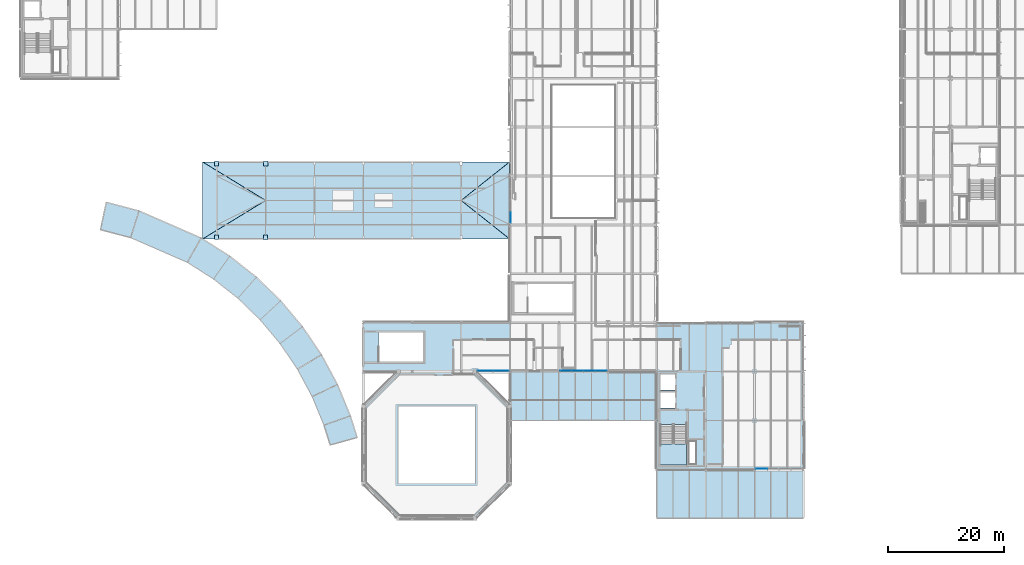
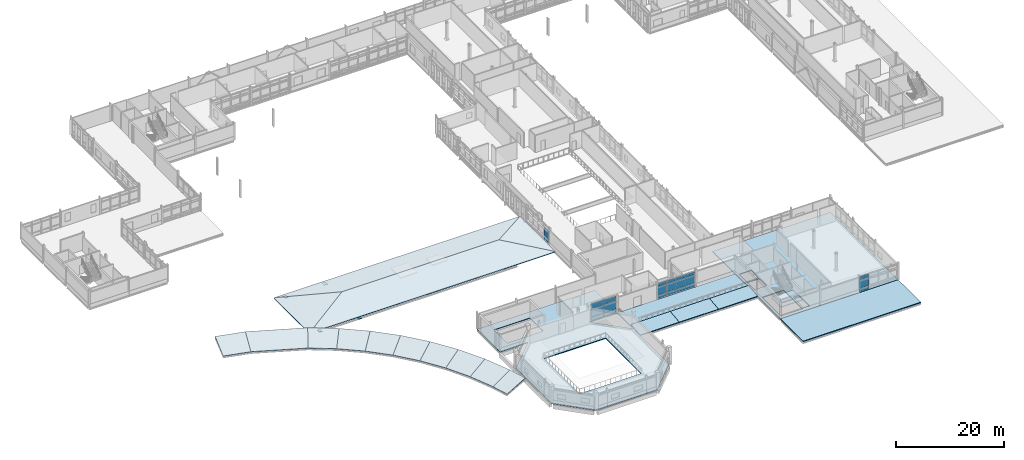
# One storey, part 108 of 151: 27 plates, 22 slabs, 7 elements without a shape of their own.
"""IFC4 building model written with IfcOpenShell, lengths in metres."""

from ifc_helpers import new_model, si_unit, direction, frame, origin, origin_2d, place, context, subcontext, project, spatial, polyline, rectangle, outline, extrude, material, layer, layer_set, type_object, element, aggregate, save


model = new_model("IFC4")

# Units and contexts
model_context = context("Model", 3, precision=1e-05, world=origin(), true_north=direction((0.0, 1.0)))
body_context = subcontext(model_context, "Body", "Model", "MODEL_VIEW")
ifc_project = project(units=[si_unit("LENGTHUNIT", "METRE"), si_unit("AREAUNIT", "SQUARE_METRE"), si_unit("VOLUMEUNIT", "CUBIC_METRE"), si_unit("PLANEANGLEUNIT", "RADIAN"), si_unit("MASSUNIT", "GRAM", prefix="KILO")], contexts=[model_context])

# Site, building, storey
site_placement = place(None, origin())
site = spatial("IfcSite", under=ifc_project, at=site_placement, CompositionType="ELEMENT")
building_placement = place(site_placement, origin())
building = spatial("IfcBuilding", under=site, at=building_placement, Name="Mersafa Astral City Hall", CompositionType="ELEMENT")
storey_placement = place(building_placement, frame((0.0, 0.0, 9.89990234375)))
storey = spatial("IfcBuildingStorey", under=building, at=storey_placement, Name="L02", CompositionType="ELEMENT", Elevation=9.89990234375)

# Curtain wall, plates
ifc_material_1 = material(Name="Anodised bronze aluminium framing", Category="aluminium")
curtain_wall_type_1 = type_object("IfcCurtainWallType", Name="ENV-CW-3", PredefinedType="USERDEFINED", material=ifc_material_1)
curtain_wall_1_placement = place(storey_placement, origin())
curtain_wall_1 = element("IfcCurtainWall", 1, at=curtain_wall_1_placement, inside=storey, type_object=curtain_wall_type_1, Name="L02 Unitised solar curtain wall 104", ObjectType="UNITISED CURTAIN WALL", PredefinedType="USERDEFINED")
ifc_material_2 = material(Name="Solar control low-e double glazing", Category="glass")
ifc_layer_1 = layer(ifc_material_2, 0.028076171875, Name="Solar control low-e double glazing")
ifc_layer_set_1 = layer_set([ifc_layer_1], Name="Solar control low-e double glazing — ENV-CW-PNL-GLZ-1")
plate_type_1 = type_object("IfcPlateType", Name="ENV-CW-PNL-GLZ-1", PredefinedType="CURTAIN_PANEL", material=ifc_layer_set_1)
plate_1_placement = place(storey_placement, frame((88.14599609375, 25.320068359375, 0.05810546875), z_axis=(0.0, 0.0, 1.0), x_axis=(1.0, 0.0, 0.0)))
plate_1 = element("IfcPlate", 2, at=plate_1_placement, type_object=plate_type_1, Name="CW-3 panel 1.1", PredefinedType="CURTAIN_PANEL", context=body_context, shape_type="SweptSolid", body=[
    extrude(rectangle(XDim=2.64794921875, YDim=0.028076171875, at=origin_2d()), origin(), (0.0, 0.0, 1.0), 0.761962890625),
])
plate_2_placement = place(storey_placement, frame((88.14599609375, 25.320068359375, 0.8798828125), z_axis=(0.0, 0.0, 1.0), x_axis=(1.0, 0.0, 0.0)))
plate_2 = element("IfcPlate", 3, at=plate_2_placement, type_object=plate_type_1, Name="CW-3 panel 1.2", PredefinedType="CURTAIN_PANEL", context=body_context, shape_type="SweptSolid", body=[
    extrude(rectangle(XDim=2.64794921875, YDim=0.028076171875, at=origin_2d()), origin(), (0.0, 0.0, 1.0), 1.840087890625),
])
plate_3_placement = place(storey_placement, frame((88.14599609375, 25.320068359375, 2.7802734375), z_axis=(0.0, 0.0, 1.0), x_axis=(1.0, 0.0, 0.0)))
plate_3 = element("IfcPlate", 4, at=plate_3_placement, type_object=plate_type_1, Name="CW-3 panel 1.3", PredefinedType="CURTAIN_PANEL", context=body_context, shape_type="SweptSolid", body=[
    extrude(rectangle(XDim=2.64794921875, YDim=0.028076171875, at=origin_2d()), origin(), (0.0, 0.0, 1.0), 1.014892578125),
])
plate_4_placement = place(storey_placement, frame((90.85400390625, 25.320068359375, 0.05810546875), z_axis=(0.0, 0.0, 1.0), x_axis=(1.0, 0.0, 0.0)))
plate_4 = element("IfcPlate", 5, at=plate_4_placement, type_object=plate_type_1, Name="CW-3 panel 2.1", PredefinedType="CURTAIN_PANEL", context=body_context, shape_type="SweptSolid", body=[
    extrude(rectangle(XDim=2.64794921875, YDim=0.028076171875, at=origin_2d()), origin(), (0.0, 0.0, 1.0), 0.761962890625),
])
plate_5_placement = place(storey_placement, frame((90.85400390625, 25.320068359375, 0.8798828125), z_axis=(0.0, 0.0, 1.0), x_axis=(1.0, 0.0, 0.0)))
plate_5 = element("IfcPlate", 6, at=plate_5_placement, type_object=plate_type_1, Name="CW-3 panel 2.2", PredefinedType="CURTAIN_PANEL", context=body_context, shape_type="SweptSolid", body=[
    extrude(rectangle(XDim=2.64794921875, YDim=0.028076171875, at=origin_2d()), origin(), (0.0, 0.0, 1.0), 1.840087890625),
])
plate_6_placement = place(storey_placement, frame((90.85400390625, 25.320068359375, 2.7802734375), z_axis=(0.0, 0.0, 1.0), x_axis=(1.0, 0.0, 0.0)))
plate_6 = element("IfcPlate", 7, at=plate_6_placement, type_object=plate_type_1, Name="CW-3 panel 2.3", PredefinedType="CURTAIN_PANEL", context=body_context, shape_type="SweptSolid", body=[
    extrude(rectangle(XDim=2.64794921875, YDim=0.028076171875, at=origin_2d()), origin(), (0.0, 0.0, 1.0), 1.014892578125),
])
aggregate(curtain_wall_1, [plate_1, plate_2, plate_3, plate_4, plate_5, plate_6])

curtain_wall_type_2 = type_object("IfcCurtainWallType", Name="ENV-CW-4", PredefinedType="USERDEFINED", material=ifc_material_1)
curtain_wall_2_placement = place(storey_placement, origin())
curtain_wall_2 = element("IfcCurtainWall", 8, at=curtain_wall_2_placement, inside=storey, type_object=curtain_wall_type_2, Name="L02 Unitised solar curtain wall 105", ObjectType="UNITISED CURTAIN WALL", PredefinedType="USERDEFINED")
ifc_layer_2 = layer(ifc_material_2, 0.031982421875, Name="Solar control low-e double glazing")
ifc_layer_set_2 = layer_set([ifc_layer_2], Name="Solar control low-e double glazing — ENV-CW-PNL-GLZ-2")
plate_type_2 = type_object("IfcPlateType", Name="ENV-CW-PNL-GLZ-2", PredefinedType="CURTAIN_PANEL", material=ifc_layer_set_2)
plate_7_placement = place(storey_placement, frame((101.986572265625, 25.320068359375, 0.05810546875), z_axis=(0.0, 0.0, 1.0), x_axis=(1.0, 0.0, 0.0)))
plate_7 = element("IfcPlate", 9, at=plate_7_placement, type_object=plate_type_2, Name="CW-4 panel 1.1", PredefinedType="CURTAIN_PANEL", context=body_context, shape_type="SweptSolid", body=[
    extrude(rectangle(XDim=1.928955078125, YDim=0.031982421875, at=origin_2d()), origin(), (0.0, 0.0, 1.0), 0.761962890625),
])
plate_8_placement = place(storey_placement, frame((101.986572265625, 25.320068359375, 0.8798828125), z_axis=(0.0, 0.0, 1.0), x_axis=(1.0, 0.0, 0.0)))
plate_8 = element("IfcPlate", 10, at=plate_8_placement, type_object=plate_type_2, Name="CW-4 panel 1.2", PredefinedType="CURTAIN_PANEL", context=body_context, shape_type="SweptSolid", body=[
    extrude(rectangle(XDim=1.928955078125, YDim=0.031982421875, at=origin_2d()), origin(), (0.0, 0.0, 1.0), 1.840087890625),
])
plate_9_placement = place(storey_placement, frame((101.986572265625, 25.320068359375, 2.7802734375), z_axis=(0.0, 0.0, 1.0), x_axis=(1.0, 0.0, 0.0)))
plate_9 = element("IfcPlate", 11, at=plate_9_placement, type_object=plate_type_2, Name="CW-4 panel 1.3", PredefinedType="CURTAIN_PANEL", context=body_context, shape_type="SweptSolid", body=[
    extrude(rectangle(XDim=1.928955078125, YDim=0.031982421875, at=origin_2d()), origin(), (0.0, 0.0, 1.0), 0.677001953125),
])
plate_10_placement = place(storey_placement, frame((103.990478515625, 25.320068359375, 0.05810546875), z_axis=(0.0, 0.0, 1.0), x_axis=(1.0, 0.0, 0.0)))
plate_10 = element("IfcPlate", 12, at=plate_10_placement, type_object=plate_type_2, Name="CW-4 panel 2.1", PredefinedType="CURTAIN_PANEL", context=body_context, shape_type="SweptSolid", body=[
    extrude(rectangle(XDim=1.958984375, YDim=0.031982421875, at=origin_2d()), origin(), (0.0, 0.0, 1.0), 0.761962890625),
])
plate_11_placement = place(storey_placement, frame((103.990478515625, 25.320068359375, 0.8798828125), z_axis=(0.0, 0.0, 1.0), x_axis=(1.0, 0.0, 0.0)))
plate_11 = element("IfcPlate", 13, at=plate_11_placement, type_object=plate_type_2, Name="CW-4 panel 2.2", PredefinedType="CURTAIN_PANEL", context=body_context, shape_type="SweptSolid", body=[
    extrude(rectangle(XDim=1.958984375, YDim=0.031982421875, at=origin_2d()), origin(), (0.0, 0.0, 1.0), 1.840087890625),
])
plate_12_placement = place(storey_placement, frame((103.990478515625, 25.320068359375, 2.7802734375), z_axis=(0.0, 0.0, 1.0), x_axis=(1.0, 0.0, 0.0)))
plate_12 = element("IfcPlate", 14, at=plate_12_placement, type_object=plate_type_2, Name="CW-4 panel 2.3", PredefinedType="CURTAIN_PANEL", context=body_context, shape_type="SweptSolid", body=[
    extrude(rectangle(XDim=1.958984375, YDim=0.031982421875, at=origin_2d()), origin(), (0.0, 0.0, 1.0), 0.677001953125),
])
plate_13_placement = place(storey_placement, frame((106.009521484375, 25.320068359375, 0.05810546875), z_axis=(0.0, 0.0, 1.0), x_axis=(1.0, 0.0, 0.0)))
plate_13 = element("IfcPlate", 15, at=plate_13_placement, type_object=plate_type_2, Name="CW-4 panel 3.1", PredefinedType="CURTAIN_PANEL", context=body_context, shape_type="SweptSolid", body=[
    extrude(rectangle(XDim=1.958984375, YDim=0.031982421875, at=origin_2d()), origin(), (0.0, 0.0, 1.0), 0.761962890625),
])
plate_14_placement = place(storey_placement, frame((106.009521484375, 25.320068359375, 0.8798828125), z_axis=(0.0, 0.0, 1.0), x_axis=(1.0, 0.0, 0.0)))
plate_14 = element("IfcPlate", 16, at=plate_14_placement, type_object=plate_type_2, Name="CW-4 panel 3.2", PredefinedType="CURTAIN_PANEL", context=body_context, shape_type="SweptSolid", body=[
    extrude(rectangle(XDim=1.958984375, YDim=0.031982421875, at=origin_2d()), origin(), (0.0, 0.0, 1.0), 1.840087890625),
])
plate_15_placement = place(storey_placement, frame((106.009521484375, 25.320068359375, 2.7802734375), z_axis=(0.0, 0.0, 1.0), x_axis=(1.0, 0.0, 0.0)))
plate_15 = element("IfcPlate", 17, at=plate_15_placement, type_object=plate_type_2, Name="CW-4 panel 3.3", PredefinedType="CURTAIN_PANEL", context=body_context, shape_type="SweptSolid", body=[
    extrude(rectangle(XDim=1.958984375, YDim=0.031982421875, at=origin_2d()), origin(), (0.0, 0.0, 1.0), 0.677001953125),
])
plate_16_placement = place(storey_placement, frame((108.013427734375, 25.320068359375, 0.05810546875), z_axis=(0.0, 0.0, 1.0), x_axis=(1.0, 0.0, 0.0)))
plate_16 = element("IfcPlate", 18, at=plate_16_placement, type_object=plate_type_2, Name="CW-4 panel 4.1", PredefinedType="CURTAIN_PANEL", context=body_context, shape_type="SweptSolid", body=[
    extrude(rectangle(XDim=1.928955078125, YDim=0.031982421875, at=origin_2d()), origin(), (0.0, 0.0, 1.0), 0.761962890625),
])
plate_17_placement = place(storey_placement, frame((108.013427734375, 25.320068359375, 0.8798828125), z_axis=(0.0, 0.0, 1.0), x_axis=(1.0, 0.0, 0.0)))
plate_17 = element("IfcPlate", 19, at=plate_17_placement, type_object=plate_type_2, Name="CW-4 panel 4.2", PredefinedType="CURTAIN_PANEL", context=body_context, shape_type="SweptSolid", body=[
    extrude(rectangle(XDim=1.928955078125, YDim=0.031982421875, at=origin_2d()), origin(), (0.0, 0.0, 1.0), 1.840087890625),
])
plate_18_placement = place(storey_placement, frame((108.013427734375, 25.320068359375, 2.7802734375), z_axis=(0.0, 0.0, 1.0), x_axis=(1.0, 0.0, 0.0)))
plate_18 = element("IfcPlate", 20, at=plate_18_placement, type_object=plate_type_2, Name="CW-4 panel 4.3", PredefinedType="CURTAIN_PANEL", context=body_context, shape_type="SweptSolid", body=[
    extrude(rectangle(XDim=1.928955078125, YDim=0.031982421875, at=origin_2d()), origin(), (0.0, 0.0, 1.0), 0.677001953125),
])
aggregate(curtain_wall_2, [plate_7, plate_8, plate_9, plate_10, plate_11, plate_12, plate_13, plate_14, plate_15, plate_16, plate_17, plate_18])

curtain_wall_type_3 = type_object("IfcCurtainWallType", Name="ENV-CW-5", PredefinedType="USERDEFINED", material=ifc_material_1)
curtain_wall_3_placement = place(storey_placement, origin())
curtain_wall_3 = element("IfcCurtainWall", 21, at=curtain_wall_3_placement, inside=storey, type_object=curtain_wall_type_3, Name="L02 Unitised solar curtain wall 106", ObjectType="UNITISED CURTAIN WALL", PredefinedType="USERDEFINED")
ifc_layer_3 = layer(ifc_material_2, 0.035888671875, Name="Solar control low-e double glazing")
ifc_layer_set_3 = layer_set([ifc_layer_3], Name="Solar control low-e double glazing — ENV-CW-PNL-GLZ-3")
plate_type_3 = type_object("IfcPlateType", Name="ENV-CW-PNL-GLZ-3", PredefinedType="CURTAIN_PANEL", material=ifc_layer_set_3)
plate_19_placement = place(storey_placement, frame((135.58642578125, 8.52001953125, 0.05810546875), z_axis=(0.0, 0.0, 1.0), x_axis=(1.0, 0.0, 0.0)))
plate_19 = element("IfcPlate", 22, at=plate_19_placement, type_object=plate_type_3, Name="CW-5 panel 1.1", PredefinedType="CURTAIN_PANEL", context=body_context, shape_type="SweptSolid", body=[
    extrude(rectangle(XDim=1.928955078125, YDim=0.035888671875, at=origin_2d()), origin(), (0.0, 0.0, 1.0), 0.761962890625),
])
plate_20_placement = place(storey_placement, frame((135.58642578125, 8.52001953125, 0.8798828125), z_axis=(0.0, 0.0, 1.0), x_axis=(1.0, 0.0, 0.0)))
plate_20 = element("IfcPlate", 23, at=plate_20_placement, type_object=plate_type_3, Name="CW-5 panel 1.2", PredefinedType="CURTAIN_PANEL", context=body_context, shape_type="SweptSolid", body=[
    extrude(rectangle(XDim=1.928955078125, YDim=0.035888671875, at=origin_2d()), origin(), (0.0, 0.0, 1.0), 1.840087890625),
])
plate_21_placement = place(storey_placement, frame((135.58642578125, 8.52001953125, 2.7802734375), z_axis=(0.0, 0.0, 1.0), x_axis=(1.0, 0.0, 0.0)))
plate_21 = element("IfcPlate", 24, at=plate_21_placement, type_object=plate_type_3, Name="CW-5 panel 1.3", PredefinedType="CURTAIN_PANEL", context=body_context, shape_type="SweptSolid", body=[
    extrude(rectangle(XDim=1.928955078125, YDim=0.035888671875, at=origin_2d()), origin(), (0.0, 0.0, 1.0), 0.677001953125),
])
aggregate(curtain_wall_3, [plate_19, plate_20, plate_21])

curtain_wall_4_placement = place(storey_placement, origin())
curtain_wall_4 = element("IfcCurtainWall", 25, at=curtain_wall_4_placement, inside=storey, type_object=curtain_wall_type_2, Name="L02 Unitised solar curtain wall 147", ObjectType="UNITISED CURTAIN WALL", PredefinedType="USERDEFINED")
ifc_layer_4 = layer(ifc_material_2, 0.0400390625, Name="Solar control low-e double glazing")
ifc_layer_set_4 = layer_set([ifc_layer_4], Name="Solar control low-e double glazing — ENV-CW-PNL-GLZ-4")
plate_type_4 = type_object("IfcPlateType", Name="ENV-CW-PNL-GLZ-4", PredefinedType="CURTAIN_PANEL", material=ifc_layer_set_4)
plate_22_placement = place(storey_placement, frame((92.52001953125, 51.68017578125, 0.05810546875), z_axis=(0.0, 0.0, 1.0), x_axis=(0.0, -1.0, 0.0)))
plate_22 = element("IfcPlate", 26, at=plate_22_placement, type_object=plate_type_4, Name="CW-4 panel 4.1", PredefinedType="CURTAIN_PANEL", context=body_context, shape_type="SweptSolid", body=[
    extrude(rectangle(XDim=1.866455078125, YDim=0.0400390625, at=origin_2d()), origin(), (0.0, 0.0, 1.0), 0.761962890625),
])
plate_23_placement = place(storey_placement, frame((92.52001953125, 51.68017578125, 0.8798828125), z_axis=(0.0, 0.0, 1.0), x_axis=(0.0, -1.0, 0.0)))
plate_23 = element("IfcPlate", 27, at=plate_23_placement, type_object=plate_type_4, Name="CW-4 panel 4.2", PredefinedType="CURTAIN_PANEL", context=body_context, shape_type="SweptSolid", body=[
    extrude(rectangle(XDim=1.866455078125, YDim=0.0400390625, at=origin_2d()), origin(), (0.0, 0.0, 1.0), 1.840087890625),
])
aggregate(curtain_wall_4, [plate_22, plate_23])

# Stair, slab
ifc_material_3 = material(Name="Concrete C40/50", Category="concrete")
stair_type = type_object("IfcStairType", Name="STAIR", PredefinedType="HALF_TURN_STAIR", material=ifc_material_3)
stair_placement = place(storey_placement, origin())
stair = element("IfcStair", 28, at=stair_placement, inside=storey, type_object=stair_type, Name="L02 Protected Exit Stair ST5", PredefinedType="HALF_TURN_STAIR")
ifc_layer_5 = layer(ifc_material_3, 0.199951171875, Name="Concrete C40/50")
ifc_layer_set_5 = layer_set([ifc_layer_5], Name="Concrete C40/50 — STAIR-LANDING")
slab_type_1 = type_object("IfcSlabType", Name="STAIR-LANDING", PredefinedType="LANDING", material=ifc_layer_set_5)
slab_1_placement = place(storey_placement, frame((0.0, 0.0, 1.8251953125)))
slab_1 = element("IfcSlab", 29, at=slab_1_placement, type_object=slab_type_1, Name="ST5 landing 1", PredefinedType="LANDING", context=body_context, shape_type="SweptSolid", body=[
    extrude(outline(polyline([(118.179931640625, 12.800048828125), (118.179931640625, 9.14990234375), (122.739990234375, 9.14990234375), (122.739990234375, 12.800048828125), (118.179931640625, 12.800048828125)])), origin(), (0.0, 0.0, 1.0), 0.199951171875),
])
aggregate(stair, [slab_1])

# Plates
ifc_material_4 = material(Name="Steel S355", Category="steel")
ifc_layer_6 = layer(ifc_material_4, 0.027099609375, Name="Steel S355")
ifc_layer_set_6 = layer_set([ifc_layer_6], Name="Steel S355 — STR-PLT-NP-14")
plate_type_5 = type_object("IfcPlateType", Name="STR-PLT-NP-14", PredefinedType="SHEET", material=ifc_layer_set_6)
plate_24_placement = place(storey_placement, frame((42.0, 48.25, -0.42333984375), z_axis=(0.0, 0.0, 1.0), x_axis=(1.0, 0.0, 0.0)))
element("IfcPlate", 30, at=plate_24_placement, inside=storey, type_object=plate_type_5, Name="L02 Structural steel eave strut node plate NP-14", PredefinedType="SHEET", context=body_context, shape_type="SweptSolid", body=[
    extrude(rectangle(XDim=0.68505859375, YDim=0.7900390625, at=origin_2d()), origin(), (0.0, 0.0, 1.0), 0.027099609375),
])
ifc_layer_7 = layer(ifc_material_4, 0.028076171875, Name="Steel S355")
ifc_layer_set_7 = layer_set([ifc_layer_7], Name="Steel S355 — STR-PLT-NP-15")
plate_type_6 = type_object("IfcPlateType", Name="STR-PLT-NP-15", PredefinedType="SHEET", material=ifc_layer_set_7)
plate_25_placement = place(storey_placement, frame((42.0, 60.949951171875, -0.423828125), z_axis=(0.0, 0.0, 1.0), x_axis=(1.0, 0.0, 0.0)))
element("IfcPlate", 31, at=plate_25_placement, inside=storey, type_object=plate_type_6, Name="L02 Structural steel eave strut node plate NP-15", PredefinedType="SHEET", context=body_context, shape_type="SweptSolid", body=[
    extrude(rectangle(XDim=0.7099609375, YDim=0.820068359375, at=origin_2d()), origin(), (0.0, 0.0, 1.0), 0.028076171875),
])
ifc_layer_8 = layer(ifc_material_4, 0.029052734375, Name="Steel S355")
ifc_layer_set_8 = layer_set([ifc_layer_8], Name="Steel S355 — STR-PLT-NP-16")
plate_type_7 = type_object("IfcPlateType", Name="STR-PLT-NP-16", PredefinedType="SHEET", material=ifc_layer_set_8)
plate_26_placement = place(storey_placement, frame((50.39990234375, 48.25, -0.42431640625), z_axis=(0.0, 0.0, 1.0), x_axis=(1.0, 0.0, 0.0)))
element("IfcPlate", 32, at=plate_26_placement, inside=storey, type_object=plate_type_7, Name="L02 Structural steel eave strut node plate NP-16", PredefinedType="SHEET", context=body_context, shape_type="SweptSolid", body=[
    extrude(rectangle(XDim=0.735107421875, YDim=0.85009765625, at=origin_2d()), origin(), (0.0, 0.0, 1.0), 0.029052734375),
])
ifc_layer_9 = layer(ifc_material_4, 0.030029296875, Name="Steel S355")
ifc_layer_set_9 = layer_set([ifc_layer_9], Name="Steel S355 — STR-PLT-NP-17")
plate_type_8 = type_object("IfcPlateType", Name="STR-PLT-NP-17", PredefinedType="SHEET", material=ifc_layer_set_9)
plate_27_placement = place(storey_placement, frame((50.39990234375, 60.949951171875, -0.4248046875), z_axis=(0.0, 0.0, 1.0), x_axis=(1.0, 0.0, 0.0)))
element("IfcPlate", 33, at=plate_27_placement, inside=storey, type_object=plate_type_8, Name="L02 Structural steel eave strut node plate NP-17", PredefinedType="SHEET", context=body_context, shape_type="SweptSolid", body=[
    extrude(rectangle(XDim=0.760009765625, YDim=0.8798828125, at=origin_2d()), origin(), (0.0, 0.0, 1.0), 0.030029296875),
])

# Slabs
ifc_material_5 = material(Name="Concrete C35/45", Category="concrete")
ifc_layer_10 = layer(ifc_material_5, 0.199951171875, Name="Concrete C35/45")
ifc_layer_set_10 = layer_set([ifc_layer_10], Name="Concrete C35/45 — STR-SLAB-FLR-200")
slab_type_2 = type_object("IfcSlabType", Name="STR-SLAB-FLR-200", PredefinedType="FLOOR", material=ifc_layer_set_10)
slab_2_placement = place(storey_placement, frame((0.0, 0.0, -0.199951171875)))
element("IfcSlab", 34, at=slab_2_placement, inside=storey, type_object=slab_type_2, Name="L02 V1 structural floor slab 1", PredefinedType="FLOOR", context=body_context, shape_type="SweptSolid", body=[
    extrude(outline(polyline([(73.199951171875, 25.199951171875), (67.199951171875, 25.199951171875), (67.199951171875, 25.199951171875), (67.199951171875, 33.60009765625), (75.60009765625, 33.60009765625), (84.0, 33.60009765625), (92.39990234375, 33.60009765625), (92.39990234375, 25.199951171875), (92.39990234375, 25.199951171875), (86.39990234375, 25.199951171875), (92.39990234375, 19.199951171875), (92.39990234375, 16.800048828125), (92.39990234375, 8.39990234375), (92.39990234375, 6.0), (86.39990234375, 0.0), (84.0, 0.0), (75.60009765625, 0.0), (73.199951171875, 0.0), (67.199951171875, 6.0), (67.199951171875, 8.39990234375), (67.199951171875, 16.800048828125), (67.199951171875, 19.199951171875), (73.199951171875, 25.199951171875)]), holes=[polyline([(86.39990234375, 19.199951171875), (73.199951171875, 19.199951171875), (73.199951171875, 6.0), (86.39990234375, 6.0), (86.39990234375, 19.199951171875)]), polyline([(77.47998046875, 26.919921875), (77.47998046875, 31.8798828125), (69.830078125, 31.8798828125), (69.830078125, 26.919921875), (77.47998046875, 26.919921875)])]), origin(), (0.0, 0.0, 1.0), 0.199951171875),
])
slab_3_placement = place(storey_placement, frame((0.0, 0.0, -0.199951171875)))
element("IfcSlab", 35, at=slab_3_placement, inside=storey, type_object=slab_type_2, Name="L02 V3 structural floor slab 1", PredefinedType="FLOOR", context=body_context, shape_type="SweptSolid", body=[
    extrude(outline(polyline([(117.60009765625, 33.60009765625), (126.0, 33.60009765625), (134.39990234375, 33.60009765625), (142.800048828125, 33.60009765625), (142.800048828125, 25.199951171875), (142.800048828125, 16.800048828125), (142.800048828125, 8.39990234375), (134.39990234375, 8.39990234375), (126.0, 8.39990234375), (117.60009765625, 8.39990234375), (117.60009765625, 16.800048828125), (117.60009765625, 25.199951171875), (117.60009765625, 33.60009765625)]), holes=[polyline([(120.780029296875, 18.949951171875), (120.780029296875, 21.64990234375), (118.179931640625, 21.64990234375), (118.179931640625, 18.949951171875), (120.780029296875, 18.949951171875)]), polyline([(120.780029296875, 22.0), (120.780029296875, 24.699951171875), (118.179931640625, 24.699951171875), (118.179931640625, 22.0), (120.780029296875, 22.0)]), polyline([(124.330078125, 13.25), (123.14990234375, 13.25), (123.14990234375, 9.35009765625), (124.330078125, 9.35009765625), (124.330078125, 13.25)]), polyline([(118.179931640625, 16.10009765625), (118.179931640625, 9.14990234375), (122.739990234375, 9.14990234375), (122.739990234375, 16.10009765625), (118.179931640625, 16.10009765625)])]), origin(), (0.0, 0.0, 1.0), 0.199951171875),
])
ifc_layer_11 = layer(ifc_material_3, 0.199951171875, Name="Concrete C40/50")
ifc_layer_set_11 = layer_set([ifc_layer_11], Name="Concrete C40/50 — STR-SLAB-ROOF-200")
slab_type_3 = type_object("IfcSlabType", Name="STR-SLAB-ROOF-200", PredefinedType="ROOF", material=ifc_layer_set_11)
slab_4_placement = place(storey_placement, frame((0.0, 0.0, -0.199951171875)))
element("IfcSlab", 36, at=slab_4_placement, inside=storey, type_object=slab_type_3, Name="L02 Flat structural wing roof slab 2", PredefinedType="ROOF", context=body_context, shape_type="SweptSolid", body=[
    extrude(outline(polyline([(142.800048828125, 0.0), (134.39990234375, 0.0), (126.0, 0.0), (117.60009765625, 0.0), (117.60009765625, 8.39208984375), (142.800048828125, 8.39208984375), (142.800048828125, 0.0)])), origin(), (0.0, 0.0, 1.0), 0.199951171875),
])
slab_5_placement = place(storey_placement, frame((92.407958984375, 16.800048828125, 0.0), z_axis=(7.615829e-06, -0.114268521941, 0.993449900516), x_axis=(0.999999999971, 8.7025e-07, -7.565945e-06)))
element("IfcSlab", 37, at=slab_5_placement, inside=storey, type_object=slab_type_3, Name="L02 Scupper-sloped wing roof slab 4-1", PredefinedType="ROOF", context=body_context, shape_type="SweptSolid", body=[
    extrude(outline(polyline([(0.0, 0.0), (8.392089843506627, 0.0), (8.392089843505948, 3.414209122640928), (-0.008056640625446301, 3.414209122640928), (-0.008056640705023162, 2.4270313131616517), (-1.3376179130162535e-09, 2.419186293048549), (0.0, 0.0)])), origin(), (0.0, 0.0, -1.0), 0.199951171875),
])
slab_6_placement = place(storey_placement, frame((100.800048828125, 16.800048828125, 0.0), z_axis=(0.0, -0.114268547923, 0.993449897557), x_axis=(1.0, 0.0, 0.0)))
element("IfcSlab", 38, at=slab_6_placement, inside=storey, type_object=slab_type_3, Name="L02 Scupper-sloped wing roof slab 4-2", PredefinedType="ROOF", context=body_context, shape_type="SweptSolid", body=[
    extrude(outline(polyline([(0.0, 0.0), (8.39990234375, 0.0), (8.39990234375, 3.4142091226409295), (0.0, 3.4142091226409295), (0.0, 0.0)])), origin(), (0.0, 0.0, -1.0), 0.199951171875),
])
slab_7_placement = place(storey_placement, frame((117.592041015625, 20.19189453125, 0.39013671875), z_axis=(0.0, -0.114268547923, 0.993449897557), x_axis=(-1.0, 0.0, 0.0)))
element("IfcSlab", 39, at=slab_7_placement, inside=storey, type_object=slab_type_3, Name="L02 Scupper-sloped wing roof slab 4-3", PredefinedType="ROOF", context=body_context, shape_type="SweptSolid", body=[
    extrude(outline(polyline([(0.0, 0.0), (8.39208984375, 0.0), (8.39208984375, 3.4142091226409295), (0.0, 3.4142091226409295), (0.0, 0.0)])), origin(), (0.0, 0.0, -1.0), 0.199951171875),
])

# Roof, slabs
ifc_material_6 = material(Name="Egyptian ceramic terracotta roof tile", Category="masonry")
roof_type = type_object("IfcRoofType", Name="ARCH-ROOF-HIP", PredefinedType="HIP_ROOF", material=ifc_material_6)
roof_1_placement = place(storey_placement, origin())
roof_1 = element("IfcRoof", 40, at=roof_1_placement, inside=storey, type_object=roof_type, Name="Step Tier 1 Shaded Civic Front Arcade curved terracotta canopy roof", PredefinedType="HIP_ROOF")
ifc_layer_12 = layer(ifc_material_3, 0.139892578125, Name="Concrete C40/50")
ifc_layer_set_12 = layer_set([ifc_layer_12], Name="Concrete C40/50 — STR-SLAB-ROOF-ARCADE-140")
slab_type_4 = type_object("IfcSlabType", Name="STR-SLAB-ROOF-ARCADE-140", PredefinedType="ROOF", material=ifc_layer_set_12)
slab_8_placement = place(storey_placement, frame((22.06298828125, 49.57568359375, 0.0), z_axis=(-0.064329760239, -0.243983326913, 0.967643435433), x_axis=(0.966957260278, -0.254938535307, 3.489625e-06)))
slab_8 = element("IfcSlab", 41, at=slab_8_placement, type_object=slab_type_4, Name="L02 Shaded Front Arcade sloped canopy slab 1", PredefinedType="ROOF", context=body_context, shape_type="SweptSolid", body=[
    extrude(outline(polyline([(0.0, 0.0), (5.327397769474565, -4.440892098500626e-16), (5.573413017418239, 4.953918448377201), (-0.2456117522780223, 4.954072604161171), (0.0, 0.0)])), origin(), (0.0, 0.0, -1.0), 0.139892578125),
])
slab_9_placement = place(storey_placement, frame((27.21435546875, 48.217529296875, 0.0), z_axis=(-0.101314713092, -0.23211289642, 0.967398021616), x_axis=(0.916498175951, -0.40003886496, 5.89333e-07)))
slab_9 = element("IfcSlab", 42, at=slab_9_placement, type_object=slab_type_4, Name="L02 Shaded Front Arcade sloped canopy slab 2", PredefinedType="ROOF", context=body_context, shape_type="SweptSolid", body=[
    extrude(outline(polyline([(0.0, 0.0), (10.640449402040254, 0.0), (11.131768262692962, 4.935596424946522), (-0.49112934381316076, 4.935648231323371), (0.0, 0.0)])), origin(), (0.0, 0.0, -1.0), 0.139892578125),
])
slab_10_placement = place(storey_placement, frame((36.96630859375, 43.9609375, 0.0), z_axis=(-0.135163279388, -0.21306897068, 0.967642755173), x_axis=(0.844421387877, -0.53567949344, -1.978324e-06)))
slab_10 = element("IfcSlab", 43, at=slab_10_placement, type_object=slab_type_4, Name="L02 Shaded Front Arcade sloped canopy slab 3", PredefinedType="ROOF", context=body_context, shape_type="SweptSolid", body=[
    extrude(outline(polyline([(0.0, 0.0), (5.327359885703109, -4.440892098500626e-16), (5.573096568829105, 4.953988005197295), (-0.24571323223509967, 4.953900614687978), (0.0, 0.0)])), origin(), (0.0, 0.0, -1.0), 0.139892578125),
])
slab_11_placement = place(storey_placement, frame((41.46484375, 41.107177734375, 0.0), z_axis=(-0.156252225273, -0.19812286968, 0.96764279081), x_axis=(0.785195647813, -0.619247765158, 1.470553e-06)))
slab_11 = element("IfcSlab", 44, at=slab_11_placement, type_object=slab_type_4, Name="L02 Shaded Front Arcade sloped canopy slab 4", PredefinedType="ROOF", context=body_context, shape_type="SweptSolid", body=[
    extrude(outline(polyline([(0.0, 0.0), (5.327156454296149, 0.0), (5.573191361141424, 4.953914512264492), (-0.24590862971662214, 4.9539794730051545), (0.0, 0.0)])), origin(), (0.0, 0.0, -1.0), 0.139892578125),
])
slab_12_placement = place(storey_placement, frame((45.647705078125, 37.808349609375, 0.0), z_axis=(-0.17570616818, -0.181094741217, 0.967642515171), x_axis=(0.717703957611, -0.696348353361, -1.2989e-08)))
slab_12 = element("IfcSlab", 45, at=slab_12_placement, type_object=slab_type_4, Name="L02 Shaded Front Arcade sloped canopy slab 5", PredefinedType="ROOF", context=body_context, shape_type="SweptSolid", body=[
    extrude(outline(polyline([(0.0, 0.0), (5.327386452508894, -4.440892098500626e-16), (5.573125613506578, 4.9539265265212755), (-0.24580444499864215, 4.953925952726337), (0.0, 0.0)])), origin(), (0.0, 0.0, -1.0), 0.139892578125),
])
slab_13_placement = place(storey_placement, frame((49.47119140625, 34.0986328125, 0.0), z_axis=(-0.193307477512, -0.162170034956, 0.96764306379), x_axis=(0.642701243762, -0.766116904435, -2.324149e-06)))
slab_13 = element("IfcSlab", 46, at=slab_13_placement, type_object=slab_type_4, Name="L02 Shaded Front Arcade sloped canopy slab 6", PredefinedType="ROOF", context=body_context, shape_type="SweptSolid", body=[
    extrude(outline(polyline([(0.0, 0.0), (5.32725061864296, 0.0), (5.573104508106447, 4.954018880342657), (-0.24594701244454722, 4.953916211677877), (0.0, 0.0)])), origin(), (0.0, 0.0, -1.0), 0.139892578125),
])
slab_14_placement = place(storey_placement, frame((52.89501953125, 30.017333984375, 0.0), z_axis=(-0.208881166092, -0.141538475026, 0.967644314063), x_axis=(0.560945857364, -0.827852489941, -2.019515e-06)))
slab_14 = element("IfcSlab", 47, at=slab_14_placement, type_object=slab_type_4, Name="L02 Shaded Front Arcade sloped canopy slab 7", PredefinedType="ROOF", context=body_context, shape_type="SweptSolid", body=[
    extrude(outline(polyline([(0.0, 0.0), (5.327222820418911, 0.0), (5.5730071907458365, 4.954106291464293), (-0.24589017057970197, 4.9540170796847525), (0.0, 0.0)])), origin(), (0.0, 0.0, -1.0), 0.139892578125),
])
slab_15_placement = place(storey_placement, frame((55.88330078125, 25.607177734375, 0.0), z_axis=(-0.222266037228, -0.119422815616, 0.967644562743), x_axis=(0.473306922275, -0.880897586173, 8.10211e-07)))
slab_15 = element("IfcSlab", 48, at=slab_15_placement, type_object=slab_type_4, Name="L02 Shaded Front Arcade sloped canopy slab 8", PredefinedType="ROOF", context=body_context, shape_type="SweptSolid", body=[
    extrude(outline(polyline([(0.0, 0.0), (5.327374827802486, 0.0), (5.573073575587032, 4.954062515288302), (-0.24594524996923192, 4.954098307254749), (0.0, 0.0)])), origin(), (0.0, 0.0, -1.0), 0.139892578125),
])
slab_16_placement = place(storey_placement, frame((58.40478515625, 20.914306640625, 0.0), z_axis=(-0.233328691551, -0.096055063223, 0.96764205496), x_axis=(0.38070201021, -0.924697777316, 7.025791e-06)))
slab_16 = element("IfcSlab", 49, at=slab_16_placement, type_object=slab_type_4, Name="L02 Shaded Front Arcade sloped canopy slab 9", PredefinedType="ROOF", context=body_context, shape_type="SweptSolid", body=[
    extrude(outline(polyline([(0.0, 0.0), (5.327177405203741, 2.220446049250313e-16), (5.573166902847349, 4.953736412868967), (-0.24601597030986627, 4.954046772177657), (0.0, 0.0)])), origin(), (0.0, 0.0, -1.0), 0.139892578125),
])
slab_17_placement = place(storey_placement, frame((60.432861328125, 15.98828125, 0.0), z_axis=(-0.240502565496, -0.075761165637, 0.96768732645), x_axis=(0.300413855836, -0.95380895104, -1.1754713e-05)))
slab_17 = element("IfcSlab", 50, at=slab_17_placement, type_object=slab_type_4, Name="L02 Shaded Front Arcade sloped canopy slab 10", PredefinedType="ROOF", context=body_context, shape_type="SweptSolid", body=[
    extrude(outline(polyline([(0.0, 0.0), (3.5522630826145005, 0.0), (3.7163346647564275, 4.957476909074188), (-0.16393058531303292, 4.957130424345109), (0.0, 0.0)])), origin(), (0.0, 0.0, -1.0), 0.139892578125),
])
aggregate(roof_1, [slab_8, slab_9, slab_10, slab_11, slab_12, slab_13, slab_14, slab_15, slab_16, slab_17])

roof_2_placement = place(storey_placement, origin())
roof_2 = element("IfcRoof", 51, at=roof_2_placement, inside=storey, type_object=roof_type, Name="L02 Warm terracotta hipped roof ROOF-T3-V4S", PredefinedType="HIP_ROOF")
ifc_layer_13 = layer(ifc_material_3, 0.159912109375, Name="Concrete C40/50")
ifc_layer_set_13 = layer_set([ifc_layer_13], Name="Concrete C40/50 — STR-SLAB-ROOF-HIP-160")
slab_type_5 = type_object("IfcSlabType", Name="STR-SLAB-ROOF-HIP-160", PredefinedType="ROOF", material=ifc_layer_set_13)
slab_18_placement = place(storey_placement, frame((39.60009765625, 48.0, 0.0), z_axis=(0.0, -0.23346953762, 0.972364116473), x_axis=(1.0, 0.0, 0.0)))
slab_18 = element("IfcSlab", 52, at=slab_18_placement, type_object=slab_type_5, Name="L02 Sloped hipped roof slab ROOF-T3-V4S S", PredefinedType="ROOF", context=body_context, shape_type="SweptSolid", body=[
    extrude(outline(polyline([(0.0, 0.0), (52.719970703125, 0.0), (44.39990234375, 6.787681223977339), (10.7998046875, 6.787681223977339), (0.0, 0.0)])), origin(), (0.0, 0.0, -1.0), 0.159912109375),
])
slab_19_placement = place(storey_placement, frame((92.320068359375, 61.199951171875, 0.0), z_axis=(0.0, 0.233477703303, 0.972362155815), x_axis=(-1.0, 0.0, 0.0)))
slab_19 = element("IfcSlab", 53, at=slab_19_placement, type_object=slab_type_5, Name="L02 Sloped hipped roof slab ROOF-T3-V4S N", PredefinedType="ROOF", context=body_context, shape_type="SweptSolid", body=[
    extrude(outline(polyline([(0.0, 0.0), (52.719970703125, 0.0), (41.920166015625, 6.78744383063355), (8.320068359375, 6.78744383063355), (0.0, 0.0)])), origin(), (0.0, 0.0, -1.0), 0.159912109375),
])
slab_20_placement = place(storey_placement, frame((39.60009765625, 61.199951171875, 0.0), z_axis=(-0.145181041409, 0.0, 0.989405106726), x_axis=(0.0, -1.0, 0.0)))
slab_20 = element("IfcSlab", 54, at=slab_20_placement, type_object=slab_type_5, Name="L02 Sloped hipped roof slab ROOF-T3-V4S W", PredefinedType="ROOF", context=body_context, shape_type="SweptSolid", body=[
    extrude(outline(polyline([(0.0, 0.0), (13.199951171875, 0.0), (6.599853515625, 10.915452744364053), (0.0, 0.0)])), origin(), (0.0, 0.0, -1.0), 0.159912109375),
])
slab_21_placement = place(storey_placement, frame((92.320068359375, 48.0, 0.0), z_axis=(0.187105484989, 0.0, 0.982339827904), x_axis=(0.0, 1.0, 0.0)))
slab_21 = element("IfcSlab", 55, at=slab_21_placement, type_object=slab_type_5, Name="L02 Sloped hipped roof slab ROOF-T3-V4S E", PredefinedType="ROOF", context=body_context, shape_type="SweptSolid", body=[
    extrude(outline(polyline([(0.0, 0.0), (13.199951171875, 0.0), (6.60009765625, 8.469643725149883), (0.0, 0.0)])), origin(), (0.0, 0.0, -1.0), 0.159912109375),
])
aggregate(roof_2, [slab_18, slab_19, slab_20, slab_21])

# Slab
ifc_layer_14 = layer(ifc_material_5, 0.199951171875, Name="Concrete C35/45")
ifc_layer_set_14 = layer_set([ifc_layer_14], Name="Concrete C35/45 — STR-SLAB-TER-200")
slab_type_6 = type_object("IfcSlabType", Name="STR-SLAB-TER-200", PredefinedType="FLOOR", material=ifc_layer_set_14)
slab_22_placement = place(storey_placement, frame((0.0, 0.0, -0.199951171875)))
element("IfcSlab", 56, at=slab_22_placement, inside=storey, type_object=slab_type_6, Name="L02 Stepped outdoor civic terrace slab TER-L02-V2S", PredefinedType="FLOOR", context=body_context, shape_type="SweptSolid", body=[
    extrude(outline(polyline([(92.39990234375, 20.199951171875), (92.39990234375, 25.19189453125), (92.407958984375, 25.19189453125), (92.407958984375, 25.19189453125), (117.592041015625, 25.19189453125), (117.592041015625, 20.199951171875), (92.39990234375, 20.199951171875)])), origin(), (0.0, 0.0, 1.0), 0.199951171875),
])

save(model, "model.ifc")
